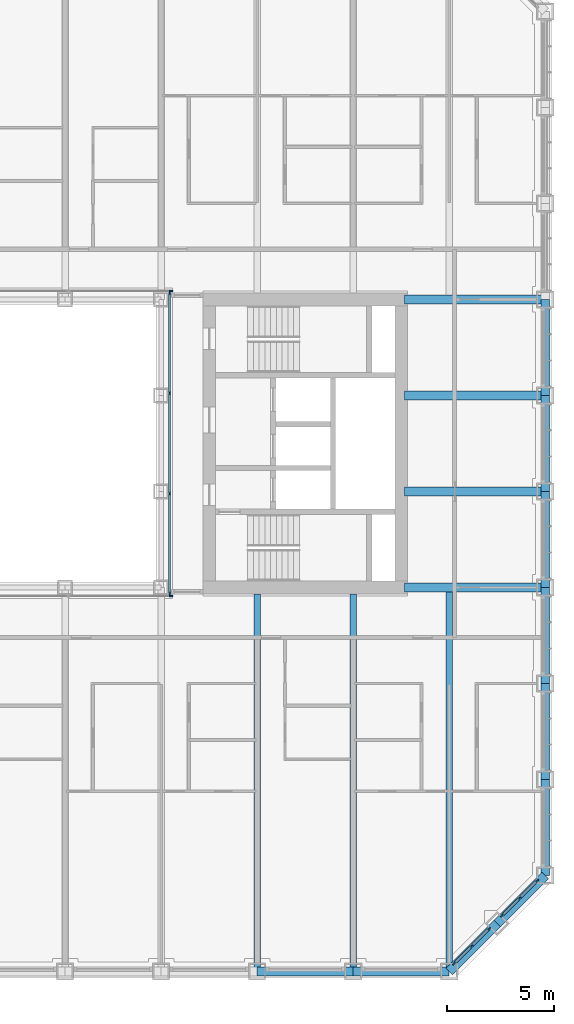
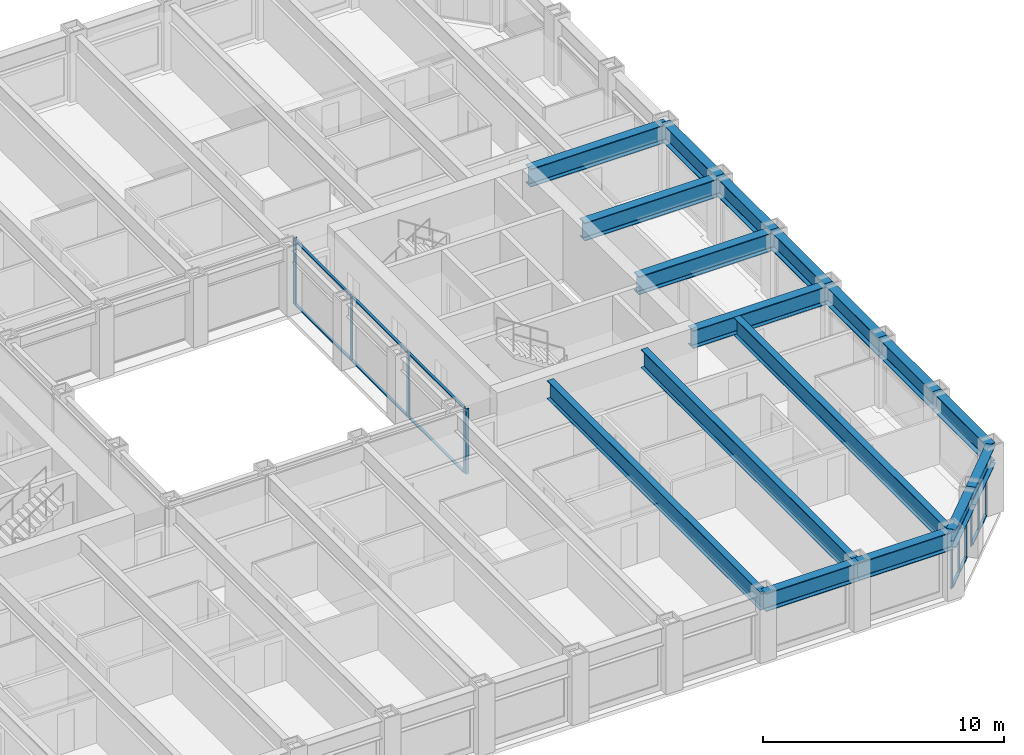
# One storey, part 5 of 21: 26 members, 17 beams, 5 elements without a shape of their own.
"""IFC4 building model written with IfcOpenShell, lengths in metres."""

from ifc_helpers import new_model, si_unit, direction, frame, origin, origin_2d, place, context, subcontext, project, spatial, rectangle, i_section, extrude, material, material_profile, profile_set, type_object, element, aggregate, save


model = new_model("IFC4")

# Units and contexts
model_context = context("Model", 3, precision=1e-05, world=origin(), true_north=direction((0.0, 1.0)))
body_context = subcontext(model_context, "Body", "Model", "MODEL_VIEW")
ifc_project = project(units=[si_unit("LENGTHUNIT", "METRE"), si_unit("AREAUNIT", "SQUARE_METRE"), si_unit("VOLUMEUNIT", "CUBIC_METRE"), si_unit("PLANEANGLEUNIT", "RADIAN"), si_unit("MASSUNIT", "GRAM", prefix="KILO")], contexts=[model_context])

# Site, building, storey
site_placement = place(None, origin())
site = spatial("IfcSite", under=ifc_project, at=site_placement, CompositionType="ELEMENT")
building_placement = place(site_placement, origin())
building = spatial("IfcBuilding", under=site, at=building_placement, Name="Msasa Ring Tower", CompositionType="ELEMENT")
storey_placement = place(building_placement, frame((0.0, 0.0, 37.0)))
storey = spatial("IfcBuildingStorey", under=building, at=storey_placement, Name="L08", CompositionType="ELEMENT", Elevation=37.0)

# Curtain wall, members
ifc_material_1 = material(Name="Aluminium curtain wall with clear glass", Category="aluminium")
curtain_wall_type_1 = type_object("IfcCurtainWallType", Name="CW-C CHAMFER CORNER CURTAIN WALL", PredefinedType="NOTDEFINED", material=ifc_material_1)
curtain_wall_1_placement = place(storey_placement, origin())
curtain_wall_1 = element("IfcCurtainWall", 1, at=curtain_wall_1_placement, inside=storey, type_object=curtain_wall_type_1, Name="Chamfer corner curtain wall SE L08", PredefinedType="NOTDEFINED")
ifc_material_2 = material(Name="Aluminium mullion", Category="aluminium")
ifc_material_profile_1 = material_profile(ifc_material_2, rectangle(XDim=0.06494140625, YDim=0.179931640625, at=origin_2d()), Name="AL 65x180")
ifc_profile_set_1 = profile_set([ifc_material_profile_1], Name="Aluminium mullion")
member_type_1 = type_object("IfcMemberType", Name="CW-C MULLION 65x180", PredefinedType="MULLION", material=ifc_profile_set_1)
member_1_placement = place(storey_placement, frame((20.48876953125, -24.369873046875, 0.0), z_axis=(0.0, 0.0, 1.0), x_axis=(-0.707106781187, 0.707106781187, 0.0)))
member_1 = element("IfcMember", 2, at=member_1_placement, type_object=member_type_1, Name="CW-C mullion 1", PredefinedType="MULLION", context=body_context, shape_type="SweptSolid", body=[
    extrude(rectangle(XDim=0.06494140625, YDim=0.179931640625, at=origin_2d()), origin(), (0.0, 0.0, 1.0), 2.37890625),
])
member_2_placement = place(storey_placement, frame((21.30419921875, -23.55419921875, 0.0), z_axis=(0.0, 0.0, 1.0), x_axis=(-0.707106781187, 0.707106781187, 0.0)))
member_2 = element("IfcMember", 3, at=member_2_placement, type_object=member_type_1, Name="CW-C mullion 2", PredefinedType="MULLION", context=body_context, shape_type="SweptSolid", body=[
    extrude(rectangle(XDim=0.06494140625, YDim=0.179931640625, at=origin_2d()), origin(), (0.0, 0.0, 1.0), 2.37890625),
])
member_3_placement = place(storey_placement, frame((22.119873046875, -22.73876953125, 0.0), z_axis=(0.0, 0.0, 1.0), x_axis=(-0.707106781187, 0.707106781187, 0.0)))
member_3 = element("IfcMember", 4, at=member_3_placement, type_object=member_type_1, Name="CW-C mullion 3", PredefinedType="MULLION", context=body_context, shape_type="SweptSolid", body=[
    extrude(rectangle(XDim=0.06494140625, YDim=0.179931640625, at=origin_2d()), origin(), (0.0, 0.0, 1.0), 2.37890625),
])

curtain_wall_2_placement = place(storey_placement, origin())
curtain_wall_2 = element("IfcCurtainWall", 5, at=curtain_wall_2_placement, inside=storey, type_object=curtain_wall_type_1, Name="Chamfer corner curtain wall SE L08", PredefinedType="NOTDEFINED")
member_4_placement = place(storey_placement, frame((22.73876953125, -22.119873046875, 0.0), z_axis=(0.0, 0.0, 1.0), x_axis=(-0.707106781187, 0.707106781187, 0.0)))
member_4 = element("IfcMember", 6, at=member_4_placement, type_object=member_type_1, Name="CW-C mullion 1", PredefinedType="MULLION", context=body_context, shape_type="SweptSolid", body=[
    extrude(rectangle(XDim=0.06494140625, YDim=0.179931640625, at=origin_2d()), origin(), (0.0, 0.0, 1.0), 2.37890625),
])
member_5_placement = place(storey_placement, frame((23.55419921875, -21.30419921875, 0.0), z_axis=(0.0, 0.0, 1.0), x_axis=(-0.707106781187, 0.707106781187, 0.0)))
member_5 = element("IfcMember", 7, at=member_5_placement, type_object=member_type_1, Name="CW-C mullion 2", PredefinedType="MULLION", context=body_context, shape_type="SweptSolid", body=[
    extrude(rectangle(XDim=0.06494140625, YDim=0.179931640625, at=origin_2d()), origin(), (0.0, 0.0, 1.0), 2.37890625),
])
member_6_placement = place(storey_placement, frame((24.369873046875, -20.48876953125, 0.0), z_axis=(0.0, 0.0, 1.0), x_axis=(-0.707106781187, 0.707106781187, 0.0)))
member_6 = element("IfcMember", 8, at=member_6_placement, type_object=member_type_1, Name="CW-C mullion 3", PredefinedType="MULLION", context=body_context, shape_type="SweptSolid", body=[
    extrude(rectangle(XDim=0.06494140625, YDim=0.179931640625, at=origin_2d()), origin(), (0.0, 0.0, 1.0), 2.37890625),
])

# Member
ifc_material_3 = material(Name="Aluminium transom", Category="aluminium")
ifc_material_profile_2 = material_profile(ifc_material_3, rectangle(XDim=0.139892578125, YDim=0.06494140625, at=origin_2d()), Name="AL 65x140")
ifc_profile_set_2 = profile_set([ifc_material_profile_2], Name="Aluminium transom")
member_type_2 = type_object("IfcMemberType", Name="CW-C TRANSOM 65x140", PredefinedType="USERDEFINED", material=ifc_profile_set_2)
member_7_placement = place(storey_placement, frame((20.51171875, -24.346923828125, 0.032470703125), z_axis=(0.707106781187, 0.707106781187, 0.0), x_axis=(-0.707106781187, 0.707106781187, 0.0)))
member_7 = element("IfcMember", 9, at=member_7_placement, type_object=member_type_2, Name="CW-C transom 1.1", ObjectType="TRANSOM", PredefinedType="USERDEFINED", context=body_context, shape_type="SweptSolid", body=[
    extrude(rectangle(XDim=0.139892578125, YDim=0.06494140625, at=origin_2d()), origin(), (0.0, 0.0, 1.0), 1.08837890625),
])

member_8_placement = place(storey_placement, frame((20.51171875, -24.346923828125, 2.346435546875), z_axis=(0.707106781187, 0.707106781187, 0.0), x_axis=(-0.707106781187, 0.707106781187, 0.0)))
member_8 = element("IfcMember", 10, at=member_8_placement, type_object=member_type_2, Name="CW-C transom 1.2", ObjectType="TRANSOM", PredefinedType="USERDEFINED", context=body_context, shape_type="SweptSolid", body=[
    extrude(rectangle(XDim=0.139892578125, YDim=0.06494140625, at=origin_2d()), origin(), (0.0, 0.0, 1.0), 1.08837890625),
])

member_9_placement = place(storey_placement, frame((21.327392578125, -23.53125, 0.032470703125), z_axis=(0.707106781187, 0.707106781187, 0.0), x_axis=(-0.707106781187, 0.707106781187, 0.0)))
member_9 = element("IfcMember", 11, at=member_9_placement, type_object=member_type_2, Name="CW-C transom 2.1", ObjectType="TRANSOM", PredefinedType="USERDEFINED", context=body_context, shape_type="SweptSolid", body=[
    extrude(rectangle(XDim=0.139892578125, YDim=0.06494140625, at=origin_2d()), origin(), (0.0, 0.0, 1.0), 1.08837890625),
])

member_10_placement = place(storey_placement, frame((21.327392578125, -23.53125, 2.346435546875), z_axis=(0.707106781187, 0.707106781187, 0.0), x_axis=(-0.707106781187, 0.707106781187, 0.0)))
member_10 = element("IfcMember", 12, at=member_10_placement, type_object=member_type_2, Name="CW-C transom 2.2", ObjectType="TRANSOM", PredefinedType="USERDEFINED", context=body_context, shape_type="SweptSolid", body=[
    extrude(rectangle(XDim=0.139892578125, YDim=0.06494140625, at=origin_2d()), origin(), (0.0, 0.0, 1.0), 1.08837890625),
])

aggregate(curtain_wall_1, [member_1, member_2, member_3, member_7, member_8, member_9, member_10])

member_11_placement = place(storey_placement, frame((22.76171875, -22.096923828125, 0.032470703125), z_axis=(0.707106781187, 0.707106781187, 0.0), x_axis=(-0.707106781187, 0.707106781187, 0.0)))
member_11 = element("IfcMember", 13, at=member_11_placement, type_object=member_type_2, Name="CW-C transom 1.1", ObjectType="TRANSOM", PredefinedType="USERDEFINED", context=body_context, shape_type="SweptSolid", body=[
    extrude(rectangle(XDim=0.139892578125, YDim=0.06494140625, at=origin_2d()), origin(), (0.0, 0.0, 1.0), 1.08837890625),
])

member_12_placement = place(storey_placement, frame((22.76171875, -22.096923828125, 2.346435546875), z_axis=(0.707106781187, 0.707106781187, 0.0), x_axis=(-0.707106781187, 0.707106781187, 0.0)))
member_12 = element("IfcMember", 14, at=member_12_placement, type_object=member_type_2, Name="CW-C transom 1.2", ObjectType="TRANSOM", PredefinedType="USERDEFINED", context=body_context, shape_type="SweptSolid", body=[
    extrude(rectangle(XDim=0.139892578125, YDim=0.06494140625, at=origin_2d()), origin(), (0.0, 0.0, 1.0), 1.08837890625),
])

member_13_placement = place(storey_placement, frame((23.577392578125, -21.28125, 0.032470703125), z_axis=(0.707106781187, 0.707106781187, 0.0), x_axis=(-0.707106781187, 0.707106781187, 0.0)))
member_13 = element("IfcMember", 15, at=member_13_placement, type_object=member_type_2, Name="CW-C transom 2.1", ObjectType="TRANSOM", PredefinedType="USERDEFINED", context=body_context, shape_type="SweptSolid", body=[
    extrude(rectangle(XDim=0.139892578125, YDim=0.06494140625, at=origin_2d()), origin(), (0.0, 0.0, 1.0), 1.08837890625),
])

member_14_placement = place(storey_placement, frame((23.577392578125, -21.28125, 2.346435546875), z_axis=(0.707106781187, 0.707106781187, 0.0), x_axis=(-0.707106781187, 0.707106781187, 0.0)))
member_14 = element("IfcMember", 16, at=member_14_placement, type_object=member_type_2, Name="CW-C transom 2.2", ObjectType="TRANSOM", PredefinedType="USERDEFINED", context=body_context, shape_type="SweptSolid", body=[
    extrude(rectangle(XDim=0.139892578125, YDim=0.06494140625, at=origin_2d()), origin(), (0.0, 0.0, 1.0), 1.08837890625),
])

aggregate(curtain_wall_2, [member_4, member_5, member_6, member_11, member_12, member_13, member_14])

# Curtain wall, member
ifc_material_4 = material(Name="Aluminium curtain wall with clear glass", Category="aluminium")
curtain_wall_type_2 = type_object("IfcCurtainWallType", Name="CW-W LIGHT WELL CURTAIN WALL", PredefinedType="NOTDEFINED", material=ifc_material_4)
curtain_wall_3_placement = place(storey_placement, origin())
curtain_wall_3 = element("IfcCurtainWall", 17, at=curtain_wall_3_placement, inside=storey, type_object=curtain_wall_type_2, Name="Light well curtain wall N L08", PredefinedType="NOTDEFINED")
ifc_material_5 = material(Name="Aluminium mullion", Category="aluminium")
ifc_material_profile_3 = material_profile(ifc_material_5, rectangle(XDim=0.06005859375, YDim=0.159912109375, at=origin_2d()), Name="AL 60x160")
ifc_profile_set_3 = profile_set([ifc_material_profile_3], Name="Aluminium mullion")
member_type_3 = type_object("IfcMemberType", Name="CW-W MULLION 60x160", PredefinedType="MULLION", material=ifc_profile_set_3)
member_15_placement = place(storey_placement, frame((7.199951171875, 7.14990234375, 0.0), z_axis=(0.0, 0.0, 1.0), x_axis=(0.0, 1.0, 0.0)))
member_15 = element("IfcMember", 18, at=member_15_placement, type_object=member_type_3, Name="CW-W mullion 4", PredefinedType="MULLION", context=body_context, shape_type="SweptSolid", body=[
    extrude(rectangle(XDim=0.06005859375, YDim=0.159912109375, at=origin_2d()), origin(), (0.0, 0.0, 1.0), 3.300048828125),
])
aggregate(curtain_wall_3, [member_15])

curtain_wall_4_placement = place(storey_placement, origin())
curtain_wall_4 = element("IfcCurtainWall", 19, at=curtain_wall_4_placement, inside=storey, type_object=curtain_wall_type_2, Name="Light well curtain wall S L08", PredefinedType="NOTDEFINED")
member_16_placement = place(storey_placement, frame((7.199951171875, -7.14990234375, 0.0), z_axis=(0.0, 0.0, 1.0), x_axis=(0.0, 1.0, 0.0)))
member_16 = element("IfcMember", 20, at=member_16_placement, type_object=member_type_3, Name="CW-W mullion 4", PredefinedType="MULLION", context=body_context, shape_type="SweptSolid", body=[
    extrude(rectangle(XDim=0.06005859375, YDim=0.159912109375, at=origin_2d()), origin(), (0.0, 0.0, 1.0), 3.300048828125),
])
aggregate(curtain_wall_4, [member_16])

# Curtain wall, members
curtain_wall_5_placement = place(storey_placement, origin())
curtain_wall_5 = element("IfcCurtainWall", 21, at=curtain_wall_5_placement, inside=storey, type_object=curtain_wall_type_2, Name="Light well curtain wall E L08", PredefinedType="NOTDEFINED")
member_17_placement = place(storey_placement, frame((7.14990234375, -7.0400390625, 0.0), z_axis=(0.0, 0.0, 1.0), x_axis=(-1.0, 0.0, 0.0)))
member_17 = element("IfcMember", 22, at=member_17_placement, type_object=member_type_3, Name="CW-W mullion 1", PredefinedType="MULLION", context=body_context, shape_type="SweptSolid", body=[
    extrude(rectangle(XDim=0.06005859375, YDim=0.159912109375, at=origin_2d()), origin(), (0.0, 0.0, 1.0), 3.300048828125),
])
member_18_placement = place(storey_placement, frame((7.14990234375, -2.356689453125, 0.0), z_axis=(0.0, 0.0, 1.0), x_axis=(-1.0, 0.0, 0.0)))
member_18 = element("IfcMember", 23, at=member_18_placement, type_object=member_type_3, Name="CW-W mullion 2", PredefinedType="MULLION", context=body_context, shape_type="SweptSolid", body=[
    extrude(rectangle(XDim=0.06005859375, YDim=0.159912109375, at=origin_2d()), origin(), (0.0, 0.0, 1.0), 3.300048828125),
])
member_19_placement = place(storey_placement, frame((7.14990234375, 2.356689453125, 0.0), z_axis=(0.0, 0.0, 1.0), x_axis=(-1.0, 0.0, 0.0)))
member_19 = element("IfcMember", 24, at=member_19_placement, type_object=member_type_3, Name="CW-W mullion 3", PredefinedType="MULLION", context=body_context, shape_type="SweptSolid", body=[
    extrude(rectangle(XDim=0.06005859375, YDim=0.159912109375, at=origin_2d()), origin(), (0.0, 0.0, 1.0), 3.300048828125),
])
member_20_placement = place(storey_placement, frame((7.14990234375, 7.0400390625, 0.0), z_axis=(0.0, 0.0, 1.0), x_axis=(-1.0, 0.0, 0.0)))
member_20 = element("IfcMember", 25, at=member_20_placement, type_object=member_type_3, Name="CW-W mullion 4", PredefinedType="MULLION", context=body_context, shape_type="SweptSolid", body=[
    extrude(rectangle(XDim=0.06005859375, YDim=0.159912109375, at=origin_2d()), origin(), (0.0, 0.0, 1.0), 3.300048828125),
])
ifc_material_6 = material(Name="Aluminium transom", Category="aluminium")
ifc_material_profile_4 = material_profile(ifc_material_6, rectangle(XDim=0.1201171875, YDim=0.06005859375, at=origin_2d()), Name="AL 60x120")
ifc_profile_set_4 = profile_set([ifc_material_profile_4], Name="Aluminium transom")
member_type_4 = type_object("IfcMemberType", Name="CW-W TRANSOM 60x120", PredefinedType="USERDEFINED", material=ifc_profile_set_4)
member_21_placement = place(storey_placement, frame((7.14990234375, -7.010009765625, 0.030029296875), z_axis=(0.0, 1.0, 0.0), x_axis=(-1.0, 0.0, 0.0)))
member_21 = element("IfcMember", 26, at=member_21_placement, type_object=member_type_4, Name="CW-W transom 1.1", ObjectType="TRANSOM", PredefinedType="USERDEFINED", context=body_context, shape_type="SweptSolid", body=[
    extrude(rectangle(XDim=0.1201171875, YDim=0.06005859375, at=origin_2d()), origin(), (0.0, 0.0, 1.0), 4.623291015625),
])
member_22_placement = place(storey_placement, frame((7.14990234375, -7.010009765625, 3.27001953125), z_axis=(0.0, 1.0, 0.0), x_axis=(-1.0, 0.0, 0.0)))
member_22 = element("IfcMember", 27, at=member_22_placement, type_object=member_type_4, Name="CW-W transom 1.2", ObjectType="TRANSOM", PredefinedType="USERDEFINED", context=body_context, shape_type="SweptSolid", body=[
    extrude(rectangle(XDim=0.1201171875, YDim=0.06005859375, at=origin_2d()), origin(), (0.0, 0.0, 1.0), 4.623291015625),
])
member_23_placement = place(storey_placement, frame((7.14990234375, -2.32666015625, 0.030029296875), z_axis=(0.0, 1.0, 0.0), x_axis=(-1.0, 0.0, 0.0)))
member_23 = element("IfcMember", 28, at=member_23_placement, type_object=member_type_4, Name="CW-W transom 2.1", ObjectType="TRANSOM", PredefinedType="USERDEFINED", context=body_context, shape_type="SweptSolid", body=[
    extrude(rectangle(XDim=0.1201171875, YDim=0.06005859375, at=origin_2d()), origin(), (0.0, 0.0, 1.0), 4.6533203125),
])
member_24_placement = place(storey_placement, frame((7.14990234375, -2.32666015625, 3.27001953125), z_axis=(0.0, 1.0, 0.0), x_axis=(-1.0, 0.0, 0.0)))
member_24 = element("IfcMember", 29, at=member_24_placement, type_object=member_type_4, Name="CW-W transom 2.2", ObjectType="TRANSOM", PredefinedType="USERDEFINED", context=body_context, shape_type="SweptSolid", body=[
    extrude(rectangle(XDim=0.1201171875, YDim=0.06005859375, at=origin_2d()), origin(), (0.0, 0.0, 1.0), 4.6533203125),
])
member_25_placement = place(storey_placement, frame((7.14990234375, 2.38671875, 0.030029296875), z_axis=(0.0, 1.0, 0.0), x_axis=(-1.0, 0.0, 0.0)))
member_25 = element("IfcMember", 30, at=member_25_placement, type_object=member_type_4, Name="CW-W transom 3.1", ObjectType="TRANSOM", PredefinedType="USERDEFINED", context=body_context, shape_type="SweptSolid", body=[
    extrude(rectangle(XDim=0.1201171875, YDim=0.06005859375, at=origin_2d()), origin(), (0.0, 0.0, 1.0), 4.623291015625),
])
member_26_placement = place(storey_placement, frame((7.14990234375, 2.38671875, 3.27001953125), z_axis=(0.0, 1.0, 0.0), x_axis=(-1.0, 0.0, 0.0)))
member_26 = element("IfcMember", 31, at=member_26_placement, type_object=member_type_4, Name="CW-W transom 3.2", ObjectType="TRANSOM", PredefinedType="USERDEFINED", context=body_context, shape_type="SweptSolid", body=[
    extrude(rectangle(XDim=0.1201171875, YDim=0.06005859375, at=origin_2d()), origin(), (0.0, 0.0, 1.0), 4.623291015625),
])
aggregate(curtain_wall_5, [member_17, member_18, member_19, member_20, member_21, member_22, member_23, member_24, member_25, member_26])

# Beams
ifc_material_7 = material(Name="Steel S355", Category="steel")
ifc_material_profile_5 = material_profile(ifc_material_7, i_section(OverallWidth=0.42041015625, OverallDepth=0.9208984375, WebThickness=0.021484375, FlangeThickness=0.03662109375, FilletRadius=0.024169921875, at=origin_2d()), Name="UB 914x419x388")
ifc_profile_set_5 = profile_set([ifc_material_profile_5], Name="Steel S355")
beam_type_1 = type_object("IfcBeamType", Name="FB2 UB 914x419x388", PredefinedType="BEAM", material=ifc_profile_set_5)
for number, where, z_axis, x_axis, name in (
    (32, (24.75, -2.25, 2.839599609375), (-1.0, 0.0, 0.0), (0.0, -1.0, 0.0), "Floor beam E -2.25 under L09"),
    (33, (24.75, 2.25, 2.839599609375), (-1.0, 0.0, 0.0), (0.0, -1.0, 0.0), "Floor beam E +2.25 under L09"),
):
    element("IfcBeam", number, at=place(storey_placement, frame(where, z_axis=z_axis, x_axis=x_axis)), inside=storey, type_object=beam_type_1, Name=name, PredefinedType="BEAM", context=body_context, shape_type="SweptSolid", body=[
        extrude(i_section(OverallWidth=0.42041015625, OverallDepth=0.9208984375, WebThickness=0.021484375, FlangeThickness=0.03662109375, FilletRadius=0.024169921875, at=origin_2d()), origin(), (0.0, 0.0, 1.0), 6.60009765625),
    ])
ifc_material_8 = material(Name="Steel S355", Category="steel")
ifc_material_profile_6 = material_profile(ifc_material_8, i_section(OverallWidth=0.3076171875, OverallDepth=0.926513671875, WebThickness=0.01953125, FlangeThickness=0.031982421875, FilletRadius=0.01904296875, at=origin_2d()), Name="UB 914x305x289")
ifc_profile_set_6 = profile_set([ifc_material_profile_6], Name="Steel S355")
beam_type_2 = type_object("IfcBeamType", Name="FB3 UB 914x305x289", PredefinedType="BEAM", material=ifc_profile_set_6)
for number, where, z_axis, x_axis, name in (
    (34, (11.25, -24.75, 2.836669921875), (0.0, 1.0, 0.0), (-1.0, 0.0, 0.0), "Floor beam S+11.25 under L09"),
    (35, (15.75, -24.75, 2.836669921875), (0.0, 1.0, 0.0), (-1.0, 0.0, 0.0), "Floor beam S+15.75 under L09"),
):
    element("IfcBeam", number, at=place(storey_placement, frame(where, z_axis=z_axis, x_axis=x_axis)), inside=storey, type_object=beam_type_2, Name=name, PredefinedType="BEAM", context=body_context, shape_type="SweptSolid", body=[
        extrude(i_section(OverallWidth=0.3076171875, OverallDepth=0.926513671875, WebThickness=0.01953125, FlangeThickness=0.031982421875, FilletRadius=0.01904296875, at=origin_2d()), origin(), (0.0, 0.0, 1.0), 17.699951171875),
    ])
beam_placement = place(storey_placement, frame((20.25, -24.75, 2.836669921875), z_axis=(0.0, 1.0, 0.0), x_axis=(-1.0, 0.0, 0.0)))
element("IfcBeam", 36, at=beam_placement, inside=storey, type_object=beam_type_2, Name="Floor beam S+20.25 under L09", PredefinedType="BEAM", context=body_context, shape_type="SweptSolid", body=[
    extrude(i_section(OverallWidth=0.3076171875, OverallDepth=0.926513671875, WebThickness=0.01953125, FlangeThickness=0.031982421875, FilletRadius=0.01904296875, at=origin_2d()), origin(), (0.0, 0.0, 1.0), 17.789794921875),
])
ifc_material_9 = material(Name="Steel S355", Category="steel")
ifc_material_profile_7 = material_profile(ifc_material_9, i_section(OverallWidth=0.42041015625, OverallDepth=0.9208984375, WebThickness=0.021484375, FlangeThickness=0.03662109375, FilletRadius=0.024169921875, at=origin_2d()), Name="UB 914x419x388")
ifc_profile_set_7 = profile_set([ifc_material_profile_7], Name="Steel S355")
beam_type_3 = type_object("IfcBeamType", Name="GB1 UB 914x419x388", PredefinedType="BEAM", material=ifc_profile_set_7)
for number, where, z_axis, x_axis, name in (
    (37, (18.14990234375, 6.75, 2.839599609375), (1.0, 0.0, 0.0), (0.0, 1.0, 0.0), "Girder E +6.75 under L09"),
    (38, (18.14990234375, -6.75, 2.839599609375), (1.0, 0.0, 0.0), (0.0, 1.0, 0.0), "Girder E -6.75 under L09"),
):
    element("IfcBeam", number, at=place(storey_placement, frame(where, z_axis=z_axis, x_axis=x_axis)), inside=storey, type_object=beam_type_3, Name=name, PredefinedType="BEAM", context=body_context, shape_type="SweptSolid", body=[
        extrude(i_section(OverallWidth=0.42041015625, OverallDepth=0.9208984375, WebThickness=0.021484375, FlangeThickness=0.03662109375, FilletRadius=0.024169921875, at=origin_2d()), origin(), (0.0, 0.0, 1.0), 6.60009765625),
    ])
ifc_material_10 = material(Name="Steel S355", Category="steel")
ifc_material_profile_8 = material_profile(ifc_material_10, i_section(OverallWidth=0.42041015625, OverallDepth=0.9208984375, WebThickness=0.021484375, FlangeThickness=0.03662109375, FilletRadius=0.024169921875, at=origin_2d()), Name="UB 914x419x388")
ifc_profile_set_8 = profile_set([ifc_material_profile_8], Name="Steel S355")
beam_type_4 = type_object("IfcBeamType", Name="SB1 UB 914x419x388", PredefinedType="SPANDREL", material=ifc_profile_set_8)
for number, where, z_axis, x_axis, name in (
    (39, (11.25, -24.75, 2.839599609375), (1.0, 0.0, 0.0), (0.0, 1.0, 0.0), "Spandrel S+11.25 to S+15.75 under L09"),
    (40, (15.75, -24.75, 2.839599609375), (1.0, 0.0, 0.0), (0.0, 1.0, 0.0), "Spandrel S+15.75 to S+20.25 under L09"),
):
    element("IfcBeam", number, at=place(storey_placement, frame(where, z_axis=z_axis, x_axis=x_axis)), inside=storey, type_object=beam_type_4, Name=name, PredefinedType="SPANDREL", context=body_context, shape_type="SweptSolid", body=[
        extrude(i_section(OverallWidth=0.42041015625, OverallDepth=0.9208984375, WebThickness=0.021484375, FlangeThickness=0.03662109375, FilletRadius=0.024169921875, at=origin_2d()), origin(), (0.0, 0.0, 1.0), 4.5),
    ])
for number, where, z_axis, x_axis, name in (
    (41, (20.25, -24.75, 2.839599609375), (0.707106781187, 0.707106781187, 0.0), (-0.707106781187, 0.707106781187, 0.0), "Spandrel S+20.25 to SE under L09"),
    (42, (22.5, -22.5, 2.839599609375), (0.707106781187, 0.707106781187, 0.0), (-0.707106781187, 0.707106781187, 0.0), "Spandrel SE to E-20.25 under L09"),
):
    element("IfcBeam", number, at=place(storey_placement, frame(where, z_axis=z_axis, x_axis=x_axis)), inside=storey, type_object=beam_type_4, Name=name, PredefinedType="SPANDREL", context=body_context, shape_type="SweptSolid", body=[
        extrude(i_section(OverallWidth=0.42041015625, OverallDepth=0.9208984375, WebThickness=0.021484375, FlangeThickness=0.03662109375, FilletRadius=0.024169921875, at=origin_2d()), origin(), (0.0, 0.0, 1.0), 3.181884765625),
    ])
for number, where, z_axis, x_axis, name in (
    (43, (24.75, -20.25, 2.839599609375), (0.0, 1.0, 0.0), (-1.0, 0.0, 0.0), "Spandrel E-20.25 to E-15.75 under L09"),
    (44, (24.75, -15.75, 2.839599609375), (0.0, 1.0, 0.0), (-1.0, 0.0, 0.0), "Spandrel E-15.75 to E-11.25 under L09"),
    (45, (24.75, -11.25, 2.839599609375), (0.0, 1.0, 0.0), (-1.0, 0.0, 0.0), "Spandrel E-11.25 to E-6.75 under L09"),
    (46, (24.75, -6.75, 2.839599609375), (0.0, 1.0, 0.0), (-1.0, 0.0, 0.0), "Spandrel E-6.75 to E-2.25 under L09"),
    (47, (24.75, -2.25, 2.839599609375), (0.0, 1.0, 0.0), (-1.0, 0.0, 0.0), "Spandrel E-2.25 to E+2.25 under L09"),
    (48, (24.75, 2.25, 2.839599609375), (0.0, 1.0, 0.0), (-1.0, 0.0, 0.0), "Spandrel E+2.25 to E+6.75 under L09"),
):
    element("IfcBeam", number, at=place(storey_placement, frame(where, z_axis=z_axis, x_axis=x_axis)), inside=storey, type_object=beam_type_4, Name=name, PredefinedType="SPANDREL", context=body_context, shape_type="SweptSolid", body=[
        extrude(i_section(OverallWidth=0.42041015625, OverallDepth=0.9208984375, WebThickness=0.021484375, FlangeThickness=0.03662109375, FilletRadius=0.024169921875, at=origin_2d()), origin(), (0.0, 0.0, 1.0), 4.5),
    ])

save(model, "model.ifc")
